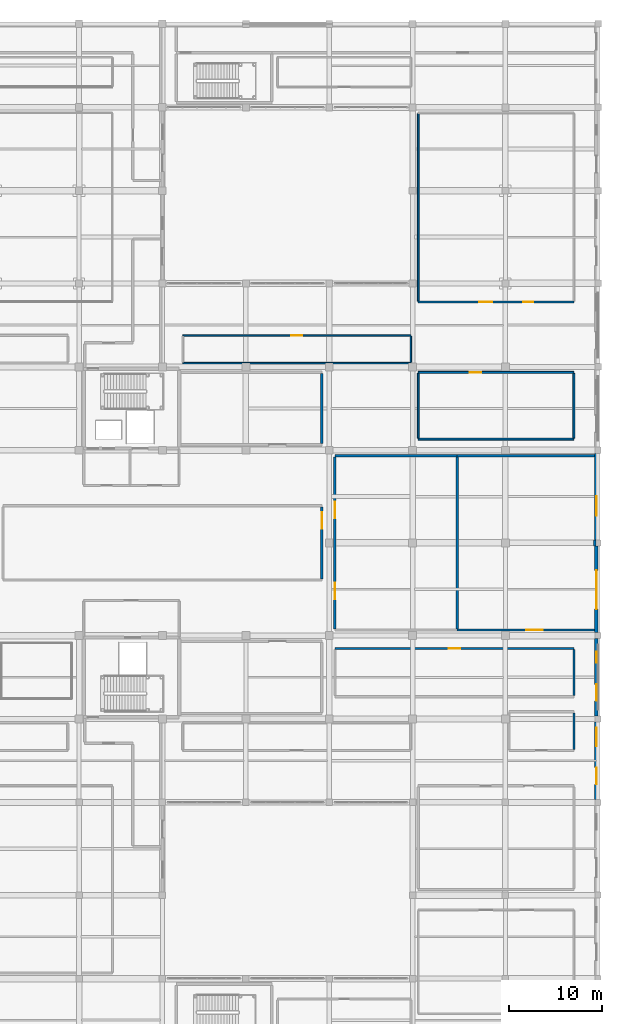
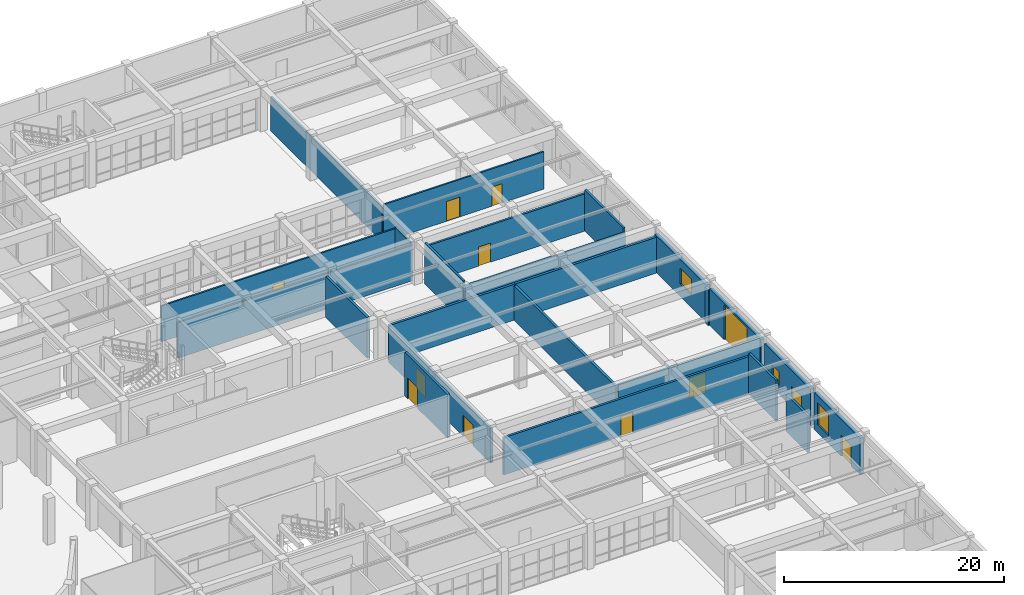
# One storey, part 112 of 128: 24 walls, 12 doors, 3 windows, 15 openings.
"""IFC4 building model written with IfcOpenShell, lengths in metres."""

from ifc_helpers import new_model, si_unit, direction, frame, frame_2d, origin, place, context, subcontext, project, spatial, rectangle, extrude, material, layer, layer_set, type_object, element, fill, save


model = new_model("IFC4")

# Units and contexts
model_context = context("Model", 3, precision=1e-05, world=origin(), true_north=direction((0.0, 1.0)))
body_context = subcontext(model_context, "Body", "Model", "MODEL_VIEW")
ifc_project = project(units=[si_unit("LENGTHUNIT", "METRE"), si_unit("AREAUNIT", "SQUARE_METRE"), si_unit("VOLUMEUNIT", "CUBIC_METRE"), si_unit("PLANEANGLEUNIT", "RADIAN"), si_unit("MASSUNIT", "GRAM", prefix="KILO")], contexts=[model_context])

# Site, building, storey
site_placement = place(None, origin())
site = spatial("IfcSite", under=ifc_project, at=site_placement, CompositionType="ELEMENT")
building_placement = place(site_placement, origin())
building = spatial("IfcBuilding", under=site, at=building_placement, Name="Miravela Opera House", CompositionType="ELEMENT")
storey_placement = place(building_placement, origin())
storey = spatial("IfcBuildingStorey", under=building, at=storey_placement, Name="L00", CompositionType="ELEMENT", Elevation=0.0)

# Wall, openings, door, window
ifc_material_1 = material(Name="Dark Guatemalan volcanic basalt stone ashlar", Category="masonry")
ifc_layer_1 = layer(ifc_material_1, 0.360107421875)
ifc_layer_set_1 = layer_set([ifc_layer_1])
wall_type_1 = type_object("IfcWallType", Name="ARC-EW-BASALT-360", PredefinedType="STANDARD", material=ifc_layer_set_1)
wall_1_placement = place(storey_placement, frame((163.820068359375, 28.324951171875, 0.0), z_axis=(0.0, 0.0, 1.0), x_axis=(0.0, 1.0, 0.0)))
wall_1 = element("IfcWall", 1, at=wall_1_placement, inside=storey, type_object=wall_type_1, Name="Fire Command Room Direct Grade Exit Wall", PredefinedType="STANDARD", context=body_context, shape_type="SweptSolid", body=[
    extrude(rectangle(XDim=8.35009765625, YDim=0.360107421875, at=frame_2d((4.175048828125, 0.0))), origin(), (0.0, 0.0, 1.0), 4.080078125),
])
opening_1_placement = place(wall_1_placement, frame((1.625, 0.0, 0.0)))
opening_1 = element("IfcOpeningElement", 2, at=opening_1_placement, cuts=wall_1, Name="Opening EX-02", PredefinedType="OPENING", context=body_context, shape_type="SweptSolid", body=[
    extrude(rectangle(XDim=1.800048828125, YDim=2.300048828125, at=frame_2d((0.89990234375, 1.14990234375))), frame((0.0, 0.18994140625, 0.0), z_axis=(0.0, -1.0, 0.0), x_axis=(1.0, 0.0, 0.0)), (0.0, 0.0, 1.0), 0.380126953125),
])
opening_2_placement = place(wall_1_placement, frame((5.75, 0.0, 0.89990234375)))
opening_2 = element("IfcOpeningElement", 3, at=opening_2_placement, cuts=wall_1, Name="Opening W-10", PredefinedType="OPENING", context=body_context, shape_type="SweptSolid", body=[
    extrude(rectangle(XDim=2.0, YDim=2.39990234375, at=frame_2d((1.0, 1.199951171875))), frame((0.0, 0.18994140625, 0.0), z_axis=(0.0, -1.0, 0.0), x_axis=(1.0, 0.0, 0.0)), (0.0, 0.0, 1.0), 0.380126953125),
])
ifc_material_2 = material(Name="Anodised architectural bronze aluminium 6063-T6", Category="aluminium")
door_type_1 = type_object("IfcDoorType", Name="ARC-EXD-1800X2300", OperationType="NOTDEFINED", PredefinedType="DOOR", material=ifc_material_2)
door_1_placement = place(opening_1_placement, frame((1.800048828125, 0.0, 0.0), z_axis=(0.0, 0.0, 1.0), x_axis=(-1.0, 0.0, 0.0)))
door_1 = element("IfcDoor", 4, at=door_1_placement, inside=storey, type_object=door_type_1, Name="Fire Command Room Direct Grade Exit EXD-L00-012", OperationType="DOUBLE_DOOR_SINGLE_SWING", OverallHeight=2.300048828125, OverallWidth=1.800048828125, PredefinedType="DOOR", context=body_context, shape_type="SweptSolid", body=[
    extrude(rectangle(XDim=1.800048828125, YDim=2.300048828125, at=frame_2d((0.89990234375, 1.14990234375))), frame((0.0, 0.02490234375, 0.0), z_axis=(0.0, -1.0, 0.0), x_axis=(1.0, 0.0, 0.0)), (0.0, 0.0, 1.0), 0.050048828125),
])
fill(opening_1, door_1)
ifc_material_3 = material(Name="Bronze-anodised aluminium and acoustic low-E glass", Category="aluminium")
window_type_1 = type_object("IfcWindowType", Name="ARC-WIN-10", PartitioningType="DOUBLE_PANEL_VERTICAL", PredefinedType="WINDOW", material=ifc_material_3)
window_1_placement = place(opening_2_placement, origin())
window_1 = element("IfcWindow", 5, at=window_1_placement, inside=storey, type_object=window_type_1, Name="Window W-10 #007", OverallHeight=2.39990234375, OverallWidth=2.0, PartitioningType="DOUBLE_PANEL_VERTICAL", PredefinedType="WINDOW", context=body_context, shape_type="SweptSolid", body=[
    extrude(rectangle(XDim=2.0, YDim=2.39990234375, at=frame_2d((1.0, 1.199951171875))), frame((0.0, 0.030029296875, 0.0), z_axis=(0.0, -1.0, 0.0), x_axis=(1.0, 0.0, 0.0)), (0.0, 0.0, 1.0), 0.06005859375),
])
fill(opening_2, window_1)

wall_2_placement = place(storey_placement, frame((163.820068359375, 37.324951171875, 0.0), z_axis=(0.0, 0.0, 1.0), x_axis=(0.0, 1.0, 0.0)))
wall_2 = element("IfcWall", 6, at=wall_2_placement, inside=storey, type_object=wall_type_1, Name="South Stage Street Exit Wall", PredefinedType="STANDARD", context=body_context, shape_type="SweptSolid", body=[
    extrude(rectangle(XDim=8.35009765625, YDim=0.360107421875, at=frame_2d((4.175048828125, 0.0))), origin(), (0.0, 0.0, 1.0), 4.080078125),
])
opening_3_placement = place(wall_2_placement, frame((1.625, 0.0, 0.0)))
opening_3 = element("IfcOpeningElement", 7, at=opening_3_placement, cuts=wall_2, Name="Opening EX-02", PredefinedType="OPENING", context=body_context, shape_type="SweptSolid", body=[
    extrude(rectangle(XDim=1.800048828125, YDim=2.300048828125, at=frame_2d((0.89990234375, 1.14990234375))), frame((0.0, 0.18994140625, 0.0), z_axis=(0.0, -1.0, 0.0), x_axis=(1.0, 0.0, 0.0)), (0.0, 0.0, 1.0), 0.380126953125),
])
opening_4_placement = place(wall_2_placement, frame((5.75, 0.0, 0.89990234375)))
opening_4 = element("IfcOpeningElement", 8, at=opening_4_placement, cuts=wall_2, Name="Opening W-11", PredefinedType="OPENING", context=body_context, shape_type="SweptSolid", body=[
    extrude(rectangle(XDim=1.199951171875, YDim=1.60009765625, at=frame_2d((0.60009765625, 0.800048828125))), frame((0.0, 0.18994140625, 0.0), z_axis=(0.0, -1.0, 0.0), x_axis=(1.0, 0.0, 0.0)), (0.0, 0.0, 1.0), 0.380126953125),
])
door_2_placement = place(opening_3_placement, frame((1.800048828125, 0.0, 0.0), z_axis=(0.0, 0.0, 1.0), x_axis=(-1.0, 0.0, 0.0)))
door_2 = element("IfcDoor", 9, at=door_2_placement, inside=storey, type_object=door_type_1, Name="South Stage Street Exit EXD-L00-013", OperationType="DOUBLE_DOOR_SINGLE_SWING", OverallHeight=2.300048828125, OverallWidth=1.800048828125, PredefinedType="DOOR", context=body_context, shape_type="SweptSolid", body=[
    extrude(rectangle(XDim=1.800048828125, YDim=2.300048828125, at=frame_2d((0.89990234375, 1.14990234375))), frame((0.0, 0.02490234375, 0.0), z_axis=(0.0, -1.0, 0.0), x_axis=(1.0, 0.0, 0.0)), (0.0, 0.0, 1.0), 0.050048828125),
])
fill(opening_3, door_2)
window_type_2 = type_object("IfcWindowType", Name="ARC-WIN-11", PartitioningType="SINGLE_PANEL", PredefinedType="WINDOW", material=ifc_material_3)
window_2_placement = place(opening_4_placement, origin())
window_2 = element("IfcWindow", 10, at=window_2_placement, inside=storey, type_object=window_type_2, Name="Window W-11 #008", OverallHeight=1.60009765625, OverallWidth=1.199951171875, PartitioningType="SINGLE_PANEL", PredefinedType="WINDOW", context=body_context, shape_type="SweptSolid", body=[
    extrude(rectangle(XDim=1.199951171875, YDim=1.60009765625, at=frame_2d((0.60009765625, 0.800048828125))), frame((0.0, 0.030029296875, 0.0), z_axis=(0.0, -1.0, 0.0), x_axis=(1.0, 0.0, 0.0)), (0.0, 0.0, 1.0), 0.06005859375),
])
fill(opening_4, window_2)

# Wall, opening, door
wall_3_placement = place(storey_placement, frame((163.820068359375, 46.324951171875, 0.0), z_axis=(0.0, 0.0, 1.0), x_axis=(0.0, 1.0, 0.0)))
wall_3 = element("IfcWall", 11, at=wall_3_placement, inside=storey, type_object=wall_type_1, Name="HGV Loading Dock Portal Wall South", PredefinedType="STANDARD", context=body_context, shape_type="SweptSolid", body=[
    extrude(rectangle(XDim=9.35009765625, YDim=0.360107421875, at=frame_2d((4.675048828125, 0.0))), origin(), (0.0, 0.0, 1.0), 4.080078125),
])
opening_5_placement = place(wall_3_placement, frame((2.52490234375, 0.0, 0.0)))
opening_5 = element("IfcOpeningElement", 12, at=opening_5_placement, cuts=wall_3, Name="Opening LDK-01", PredefinedType="OPENING", context=body_context, shape_type="SweptSolid", body=[
    extrude(rectangle(XDim=4.199951171875, YDim=3.89990234375, at=frame_2d((2.10009765625, 1.949951171875))), frame((0.0, 0.18994140625, 0.0), z_axis=(0.0, -1.0, 0.0), x_axis=(1.0, 0.0, 0.0)), (0.0, 0.0, 1.0), 0.380126953125),
])
ifc_material_4 = material(Name="Galvanised painted steel roller shutter", Category="steel")
door_type_2 = type_object("IfcDoorType", Name="ARC-SHUTTER-LDK", OperationType="ROLLINGUP", PredefinedType="DOOR", material=ifc_material_4)
door_3_placement = place(opening_5_placement, frame((4.199951171875, 0.0, 0.0), z_axis=(0.0, 0.0, 1.0), x_axis=(-1.0, 0.0, 0.0)))
door_3 = element("IfcDoor", 13, at=door_3_placement, inside=storey, type_object=door_type_2, Name="Stage Loading Dock Motorized Roller Shutter LDK-01 EXD-L00-029", OperationType="ROLLINGUP", OverallHeight=3.89990234375, OverallWidth=4.199951171875, PredefinedType="DOOR", context=body_context, shape_type="SweptSolid", body=[
    extrude(rectangle(XDim=4.199951171875, YDim=3.89990234375, at=frame_2d((2.10009765625, 1.949951171875))), frame((0.0, 0.02490234375, 0.0), z_axis=(0.0, -1.0, 0.0), x_axis=(1.0, 0.0, 0.0)), (0.0, 0.0, 1.0), 0.050048828125),
])
fill(opening_5, door_3)

# Wall, opening, window
wall_4_placement = place(storey_placement, frame((163.820068359375, 56.324951171875, 0.0), z_axis=(0.0, 0.0, 1.0), x_axis=(0.0, 1.0, 0.0)))
wall_4 = element("IfcWall", 14, at=wall_4_placement, inside=storey, type_object=wall_type_1, Name="HGV Loading Dock Portal Wall North", PredefinedType="STANDARD", context=body_context, shape_type="SweptSolid", body=[
    extrude(rectangle(XDim=9.35009765625, YDim=0.360107421875, at=frame_2d((4.675048828125, 0.0))), origin(), (0.0, 0.0, 1.0), 4.080078125),
])
opening_6_placement = place(wall_4_placement, frame((2.625, 0.0, 1.39990234375)))
opening_6 = element("IfcOpeningElement", 15, at=opening_6_placement, cuts=wall_4, Name="Opening W-33", PredefinedType="OPENING", context=body_context, shape_type="SweptSolid", body=[
    extrude(rectangle(XDim=2.06005859375, YDim=1.719970703125, at=frame_2d((1.030029296875, 0.85986328125))), frame((0.0, 0.18994140625, 0.0), z_axis=(0.0, -1.0, 0.0), x_axis=(1.0, 0.0, 0.0)), (0.0, 0.0, 1.0), 0.380126953125),
])
window_type_3 = type_object("IfcWindowType", Name="ARC-WIN-33", PartitioningType="DOUBLE_PANEL_VERTICAL", PredefinedType="WINDOW", material=ifc_material_3)
window_3_placement = place(opening_6_placement, origin())
window_3 = element("IfcWindow", 16, at=window_3_placement, inside=storey, type_object=window_type_3, Name="Window W-33 #024", OverallHeight=1.719970703125, OverallWidth=2.06005859375, PartitioningType="DOUBLE_PANEL_VERTICAL", PredefinedType="WINDOW", context=body_context, shape_type="SweptSolid", body=[
    extrude(rectangle(XDim=2.06005859375, YDim=1.719970703125, at=frame_2d((1.030029296875, 0.85986328125))), frame((0.0, 0.030029296875, 0.0), z_axis=(0.0, -1.0, 0.0), x_axis=(1.0, 0.0, 0.0)), (0.0, 0.0, 1.0), 0.06005859375),
])
fill(opening_6, window_3)

# Wall, openings, doors
ifc_material_5 = material(Name="Rehearsal isolated acoustic partition")
ifc_layer_2 = layer(ifc_material_5, 0.169921875)
ifc_layer_set_2 = layer_set([ifc_layer_2])
wall_type_2 = type_object("IfcWallType", Name="ARC-PT-170", PredefinedType="PARTITIONING", material=ifc_layer_set_2)
wall_5_placement = place(storey_placement, frame((144.60009765625, 82.0, 0.0), z_axis=(0.0, 0.0, 1.0), x_axis=(1.0, 0.0, 0.0)))
wall_5 = element("IfcWall", 17, at=wall_5_placement, inside=storey, type_object=wall_type_2, Name="Artist Lounge and Canteen Partition South", PredefinedType="PARTITIONING", context=body_context, shape_type="SweptSolid", body=[
    extrude(rectangle(XDim=16.7998046875, YDim=0.169921875, at=frame_2d((8.39990234375, 0.0))), origin(), (0.0, 0.0, 1.0), 4.14990234375),
])
opening_7_placement = place(wall_5_placement, frame((6.60791015625, 0.0, 0.0)))
opening_7 = element("IfcOpeningElement", 18, at=opening_7_placement, cuts=wall_5, Name="Opening ID-05", PredefinedType="OPENING", context=body_context, shape_type="SweptSolid", body=[
    extrude(rectangle(XDim=1.39990234375, YDim=2.199951171875, at=frame_2d((0.699951171875, 1.10009765625))), frame((0.0, 0.094970703125, 0.0), z_axis=(0.0, -1.0, 0.0), x_axis=(1.0, 0.0, 0.0)), (0.0, 0.0, 1.0), 0.18994140625),
])
opening_8_placement = place(wall_5_placement, frame((11.35205078125, 0.0, 0.0)))
opening_8 = element("IfcOpeningElement", 19, at=opening_8_placement, cuts=wall_5, Name="Opening ID-20", PredefinedType="OPENING", context=body_context, shape_type="SweptSolid", body=[
    extrude(rectangle(XDim=1.080078125, YDim=2.139892578125, at=frame_2d((0.5400390625, 1.06982421875))), frame((0.0, 0.094970703125, 0.0), z_axis=(0.0, -1.0, 0.0), x_axis=(1.0, 0.0, 0.0)), (0.0, 0.0, 1.0), 0.18994140625),
])
ifc_material_6 = material(Name="Double-leaf glazed mahogany salon door")
door_type_3 = type_object("IfcDoorType", Name="ARC-DR-1400X2200", OperationType="NOTDEFINED", PredefinedType="DOOR", material=ifc_material_6)
door_4_placement = place(opening_7_placement, frame((1.39990234375, 0.0, 0.0), z_axis=(0.0, 0.0, 1.0), x_axis=(-1.0, 0.0, 0.0)))
door_4 = element("IfcDoor", 20, at=door_4_placement, inside=storey, type_object=door_type_3, Name="Artist Lounge and Canteen Entry Door IDR-L00-0120", OperationType="DOUBLE_DOOR_SINGLE_SWING", OverallHeight=2.199951171875, OverallWidth=1.39990234375, PredefinedType="DOOR", context=body_context, shape_type="SweptSolid", body=[
    extrude(rectangle(XDim=1.39990234375, YDim=2.199951171875, at=frame_2d((0.699951171875, 1.10009765625))), frame((0.0, 0.02490234375, 0.0), z_axis=(0.0, -1.0, 0.0), x_axis=(1.0, 0.0, 0.0)), (0.0, 0.0, 1.0), 0.050048828125),
])
fill(opening_7, door_4)
ifc_material_7 = material(Name="Hardwood acoustic timber door leaf", Category="wood")
door_type_4 = type_object("IfcDoorType", Name="ARC-IDR-108X214", OperationType="NOTDEFINED", PredefinedType="DOOR", material=ifc_material_7)
door_5_placement = place(opening_8_placement, frame((1.080078125, 0.0, 0.0), z_axis=(0.0, 0.0, 1.0), x_axis=(-1.0, 0.0, 0.0)))
door_5 = element("IfcDoor", 21, at=door_5_placement, inside=storey, type_object=door_type_4, Name="Artist Lounge and Canteen Secondary Exit Door IDR-L00-0121", OperationType="SINGLE_SWING_LEFT", OverallHeight=2.139892578125, OverallWidth=1.080078125, PredefinedType="DOOR", context=body_context, shape_type="SweptSolid", body=[
    extrude(rectangle(XDim=1.080078125, YDim=2.139892578125, at=frame_2d((0.5400390625, 1.06982421875))), frame((0.0, 0.02490234375, 0.0), z_axis=(0.0, -1.0, 0.0), x_axis=(1.0, 0.0, 0.0)), (0.0, 0.0, 1.0), 0.050048828125),
])
fill(opening_8, door_5)

# Walls
wall_6_placement = place(storey_placement, frame((144.60009765625, 82.0849609375, 0.0), z_axis=(0.0, 0.0, 1.0), x_axis=(0.0, 1.0, 0.0)))
element("IfcWall", 22, at=wall_6_placement, inside=storey, type_object=wall_type_2, Name="Artist Lounge and Canteen Partition West", PredefinedType="PARTITIONING", context=body_context, shape_type="SweptSolid", body=[
    extrude(rectangle(XDim=20.22998046875, YDim=0.169921875, at=frame_2d((10.114990234375, 0.0))), origin(), (0.0, 0.0, 1.0), 3.830078125),
])
wall_7_placement = place(storey_placement, frame((119.199951171875, 75.39990234375, 0.0), z_axis=(0.0, 0.0, 1.0), x_axis=(1.0, 0.0, 0.0)))
element("IfcWall", 23, at=wall_7_placement, inside=storey, type_object=wall_type_2, Name="Stage Electronics and Lighting Workshop Partition South", PredefinedType="PARTITIONING", context=body_context, shape_type="SweptSolid", body=[
    extrude(rectangle(XDim=24.60009765625, YDim=0.169921875, at=frame_2d((12.300048828125, 0.0))), origin(), (0.0, 0.0, 1.0), 3.929931640625),
])

# Wall, opening, door
wall_8_placement = place(storey_placement, frame((119.199951171875, 78.39990234375, 0.0), z_axis=(0.0, 0.0, 1.0), x_axis=(1.0, 0.0, 0.0)))
wall_8 = element("IfcWall", 24, at=wall_8_placement, inside=storey, type_object=wall_type_2, Name="Stage Electronics and Lighting Workshop Partition North", PredefinedType="PARTITIONING", context=body_context, shape_type="SweptSolid", body=[
    extrude(rectangle(XDim=24.60009765625, YDim=0.169921875, at=frame_2d((12.300048828125, 0.0))), origin(), (0.0, 0.0, 1.0), 3.97998046875),
])
opening_9_placement = place(wall_8_placement, frame((11.7099609375, 0.0, 0.0)))
opening_9 = element("IfcOpeningElement", 25, at=opening_9_placement, cuts=wall_8, Name="Opening ID-27", PredefinedType="OPENING", context=body_context, shape_type="SweptSolid", body=[
    extrude(rectangle(XDim=1.179931640625, YDim=2.219970703125, at=frame_2d((0.58984375, 1.10986328125))), frame((0.0, 0.094970703125, 0.0), z_axis=(0.0, -1.0, 0.0), x_axis=(1.0, 0.0, 0.0)), (0.0, 0.0, 1.0), 0.18994140625),
])
door_type_5 = type_object("IfcDoorType", Name="ARC-IDR-118X222", OperationType="NOTDEFINED", PredefinedType="DOOR", material=ifc_material_7)
door_6_placement = place(opening_9_placement, origin())
door_6 = element("IfcDoor", 26, at=door_6_placement, inside=storey, type_object=door_type_5, Name="Stage Electronics and Lighting Workshop Entry Door IDR-L00-0130", OperationType="SINGLE_SWING_LEFT", OverallHeight=2.219970703125, OverallWidth=1.179931640625, PredefinedType="DOOR", context=body_context, shape_type="SweptSolid", body=[
    extrude(rectangle(XDim=1.179931640625, YDim=2.219970703125, at=frame_2d((0.58984375, 1.10986328125))), frame((0.0, 0.02490234375, 0.0), z_axis=(0.0, -1.0, 0.0), x_axis=(1.0, 0.0, 0.0)), (0.0, 0.0, 1.0), 0.050048828125),
])
fill(opening_9, door_6)

# Wall
wall_9_placement = place(storey_placement, frame((143.800048828125, 75.485107421875, 0.0), z_axis=(0.0, 0.0, 1.0), x_axis=(0.0, 1.0, 0.0)))
element("IfcWall", 27, at=wall_9_placement, inside=storey, type_object=wall_type_2, Name="Stage Electronics and Lighting Workshop Partition East", PredefinedType="PARTITIONING", context=body_context, shape_type="SweptSolid", body=[
    extrude(rectangle(XDim=2.829833984375, YDim=0.169921875, at=frame_2d((1.4150390625, 0.0))), origin(), (0.0, 0.0, 1.0), 4.14990234375),
])

# Wall, opening, door
ifc_material_8 = material(Name="High-STC auditorium lobby partition")
ifc_layer_3 = layer(ifc_material_8, 0.22998046875)
ifc_layer_set_3 = layer_set([ifc_layer_3])
wall_type_3 = type_object("IfcWallType", Name="ARC-PT-205", PredefinedType="PARTITIONING", material=ifc_layer_set_3)
wall_10_placement = place(storey_placement, frame((135.60009765625, 44.60009765625, 0.0), z_axis=(0.0, 0.0, 1.0), x_axis=(1.0, 0.0, 0.0)))
wall_10 = element("IfcWall", 28, at=wall_10_placement, inside=storey, type_object=wall_type_3, Name="Stage Prop Fabrication Workshop Partition North", PredefinedType="PARTITIONING", context=body_context, shape_type="SweptSolid", body=[
    extrude(rectangle(XDim=25.7998046875, YDim=0.22998046875, at=frame_2d((12.89990234375, 0.0))), origin(), (0.0, 0.0, 1.0), 4.14990234375),
])
opening_10_placement = place(wall_10_placement, frame((12.27001953125, 0.0, 0.0)))
opening_10 = element("IfcOpeningElement", 29, at=opening_10_placement, cuts=wall_10, Name="Opening ID-30", PredefinedType="OPENING", context=body_context, shape_type="SweptSolid", body=[
    extrude(rectangle(XDim=1.260009765625, YDim=2.219970703125, at=frame_2d((0.6298828125, 1.10986328125))), frame((0.0, 0.125, 0.0), z_axis=(0.0, -1.0, 0.0), x_axis=(1.0, 0.0, 0.0)), (0.0, 0.0, 1.0), 0.25),
])
door_type_6 = type_object("IfcDoorType", Name="ARC-IDR-126X222", OperationType="NOTDEFINED", PredefinedType="DOOR", material=ifc_material_7)
door_7_placement = place(opening_10_placement, frame((1.260009765625, 0.0, 0.0), z_axis=(0.0, 0.0, 1.0), x_axis=(-1.0, 0.0, 0.0)))
door_7 = element("IfcDoor", 30, at=door_7_placement, inside=storey, type_object=door_type_6, Name="Stage Prop Fabrication Workshop Entry Door IDR-L00-0133", OperationType="SINGLE_SWING_RIGHT", OverallHeight=2.219970703125, OverallWidth=1.260009765625, PredefinedType="DOOR", context=body_context, shape_type="SweptSolid", body=[
    extrude(rectangle(XDim=1.260009765625, YDim=2.219970703125, at=frame_2d((0.6298828125, 1.10986328125))), frame((0.0, 0.02490234375, 0.0), z_axis=(0.0, -1.0, 0.0), x_axis=(1.0, 0.0, 0.0)), (0.0, 0.0, 1.0), 0.050048828125),
])
fill(opening_10, door_7)

# Walls
wall_11_placement = place(storey_placement, frame((161.39990234375, 39.514892578125, 0.0), z_axis=(0.0, 0.0, 1.0), x_axis=(0.0, 1.0, 0.0)))
element("IfcWall", 31, at=wall_11_placement, inside=storey, type_object=wall_type_3, Name="Stage Prop Fabrication Workshop Partition East", PredefinedType="PARTITIONING", context=body_context, shape_type="SweptSolid", body=[
    extrude(rectangle(XDim=4.97021484375, YDim=0.22998046875, at=frame_2d((2.485107421875, 0.0))), origin(), (0.0, 0.0, 1.0), 4.52197265625),
])
ifc_material_9 = material(Name="Workshop fire-resisting block partition")
ifc_layer_4 = layer(ifc_material_9, 0.2099609375)
ifc_layer_set_4 = layer_set([ifc_layer_4])
wall_type_4 = type_object("IfcWallType", Name="ARC-PT-210", PredefinedType="PARTITIONING", material=ifc_layer_set_4)
wall_12_placement = place(storey_placement, frame((144.60009765625, 67.199951171875, 0.0), z_axis=(0.0, 0.0, 1.0), x_axis=(1.0, 0.0, 0.0)))
element("IfcWall", 32, at=wall_12_placement, inside=storey, type_object=wall_type_4, Name="Historic Costume Exhibition Gallery Partition South", PredefinedType="PARTITIONING", context=body_context, shape_type="SweptSolid", body=[
    extrude(rectangle(XDim=16.7998046875, YDim=0.2099609375, at=frame_2d((8.39990234375, 0.0))), origin(), (0.0, 0.0, 1.0), 4.1298828125),
])

# Wall, opening, door
wall_13_placement = place(storey_placement, frame((144.60009765625, 74.39990234375, 0.0), z_axis=(0.0, 0.0, 1.0), x_axis=(1.0, 0.0, 0.0)))
wall_13 = element("IfcWall", 33, at=wall_13_placement, inside=storey, type_object=wall_type_4, Name="Historic Costume Exhibition Gallery Partition North", PredefinedType="PARTITIONING", context=body_context, shape_type="SweptSolid", body=[
    extrude(rectangle(XDim=16.7998046875, YDim=0.2099609375, at=frame_2d((8.39990234375, 0.0))), origin(), (0.0, 0.0, 1.0), 4.1298828125),
])
opening_11_placement = place(wall_13_placement, frame((5.56494140625, 0.0, 0.0)))
opening_11 = element("IfcOpeningElement", 34, at=opening_11_placement, cuts=wall_13, Name="Opening ID-29", PredefinedType="OPENING", context=body_context, shape_type="SweptSolid", body=[
    extrude(rectangle(XDim=1.260009765625, YDim=2.139892578125, at=frame_2d((0.6298828125, 1.06982421875))), frame((0.0, 0.114990234375, 0.0), z_axis=(0.0, -1.0, 0.0), x_axis=(1.0, 0.0, 0.0)), (0.0, 0.0, 1.0), 0.22998046875),
])
door_type_7 = type_object("IfcDoorType", Name="ARC-IDR-126X214", OperationType="NOTDEFINED", PredefinedType="DOOR", material=ifc_material_7)
door_8_placement = place(opening_11_placement, frame((1.260009765625, 0.0, 0.0), z_axis=(0.0, 0.0, 1.0), x_axis=(-1.0, 0.0, 0.0)))
door_8 = element("IfcDoor", 35, at=door_8_placement, inside=storey, type_object=door_type_7, Name="Historic Costume Exhibition Gallery Entry Door IDR-L00-0132", OperationType="SINGLE_SWING_LEFT", OverallHeight=2.139892578125, OverallWidth=1.260009765625, PredefinedType="DOOR", context=body_context, shape_type="SweptSolid", body=[
    extrude(rectangle(XDim=1.260009765625, YDim=2.139892578125, at=frame_2d((0.6298828125, 1.06982421875))), frame((0.0, 0.02490234375, 0.0), z_axis=(0.0, -1.0, 0.0), x_axis=(1.0, 0.0, 0.0)), (0.0, 0.0, 1.0), 0.050048828125),
])
fill(opening_11, door_8)

# Walls
wall_14_placement = place(storey_placement, frame((144.60009765625, 67.304931640625, 0.0), z_axis=(0.0, 0.0, 1.0), x_axis=(0.0, 1.0, 0.0)))
element("IfcWall", 36, at=wall_14_placement, inside=storey, type_object=wall_type_4, Name="Historic Costume Exhibition Gallery Partition West", PredefinedType="PARTITIONING", context=body_context, shape_type="SweptSolid", body=[
    extrude(rectangle(XDim=6.989990234375, YDim=0.2099609375, at=frame_2d((3.4951171875, 0.0))), origin(), (0.0, 0.0, 1.0), 4.5830078125),
])
wall_15_placement = place(storey_placement, frame((161.39990234375, 67.304931640625, 0.0), z_axis=(0.0, 0.0, 1.0), x_axis=(0.0, 1.0, 0.0)))
element("IfcWall", 37, at=wall_15_placement, inside=storey, type_object=wall_type_4, Name="Historic Costume Exhibition Gallery Partition East", PredefinedType="PARTITIONING", context=body_context, shape_type="SweptSolid", body=[
    extrude(rectangle(XDim=6.989990234375, YDim=0.2099609375, at=frame_2d((3.4951171875, 0.0))), origin(), (0.0, 0.0, 1.0), 4.576904296875),
])

# Wall, opening, door
ifc_material_10 = material(Name="Firefighting lobby compartment wall")
ifc_layer_5 = layer(ifc_material_10, 0.25)
ifc_layer_set_5 = layer_set([ifc_layer_5])
wall_type_5 = type_object("IfcWallType", Name="ARC-PT-220", PredefinedType="PARTITIONING", material=ifc_layer_set_5)
wall_16_placement = place(storey_placement, frame((134.199951171875, 52.125, 0.0), z_axis=(0.0, 0.0, 1.0), x_axis=(0.0, 1.0, 0.0)))
wall_16 = element("IfcWall", 38, at=wall_16_placement, inside=storey, type_object=wall_type_5, Name="Main Opera Stage Partition East", PredefinedType="PARTITIONING", context=body_context, shape_type="SweptSolid", body=[
    extrude(rectangle(XDim=7.75, YDim=0.25, at=frame_2d((3.875, 0.0))), origin(), (0.0, 0.0, 1.0), 4.85009765625),
])
opening_12_placement = place(wall_16_placement, frame((5.40234375, 0.0, 0.0)))
opening_12 = element("IfcOpeningElement", 39, at=opening_12_placement, cuts=wall_16, Name="Opening FD-05", PredefinedType="OPENING", context=body_context, shape_type="SweptSolid", body=[
    extrude(rectangle(XDim=1.800048828125, YDim=2.300048828125, at=frame_2d((0.89990234375, 1.14990234375))), frame((0.0, 0.135009765625, 0.0), z_axis=(0.0, -1.0, 0.0), x_axis=(1.0, 0.0, 0.0)), (0.0, 0.0, 1.0), 0.27001953125),
])
ifc_material_11 = material(Name="Heavy acoustic EI 120 stage/auditorium pair")
door_type_8 = type_object("IfcDoorType", Name="ARC-FD-1800X2300", OperationType="NOTDEFINED", PredefinedType="DOOR", material=ifc_material_11)
door_9_placement = place(opening_12_placement, origin())
door_9 = element("IfcDoor", 40, at=door_9_placement, inside=storey, type_object=door_type_8, Name="Main Opera Stage Entry Door IDR-L00-0101", OperationType="DOUBLE_DOOR_SINGLE_SWING", OverallHeight=2.300048828125, OverallWidth=1.800048828125, PredefinedType="DOOR", context=body_context, shape_type="SweptSolid", body=[
    extrude(rectangle(XDim=1.800048828125, YDim=2.300048828125, at=frame_2d((0.89990234375, 1.14990234375))), frame((0.0, 0.02490234375, 0.0), z_axis=(0.0, -1.0, 0.0), x_axis=(1.0, 0.0, 0.0)), (0.0, 0.0, 1.0), 0.050048828125),
])
fill(opening_12, door_9)

# Walls
wall_17_placement = place(storey_placement, frame((134.199951171875, 66.72509765625, 0.0), z_axis=(0.0, 0.0, 1.0), x_axis=(0.0, 1.0, 0.0)))
element("IfcWall", 41, at=wall_17_placement, inside=storey, type_object=wall_type_5, Name="North Side Stage Partition East", PredefinedType="PARTITIONING", context=body_context, shape_type="SweptSolid", body=[
    extrude(rectangle(XDim=7.5498046875, YDim=0.25, at=frame_2d((3.77490234375, 0.0))), origin(), (0.0, 0.0, 1.0), 4.52197265625),
])
wall_18_placement = place(storey_placement, frame((135.60009765625, 65.39990234375, 0.0), z_axis=(0.0, 0.0, 1.0), x_axis=(1.0, 0.0, 0.0)))
element("IfcWall", 42, at=wall_18_placement, inside=storey, type_object=wall_type_5, Name="Rear Opera Stage Partition North", PredefinedType="PARTITIONING", context=body_context, shape_type="SweptSolid", body=[
    extrude(rectangle(XDim=13.199951171875, YDim=0.25, at=frame_2d((6.60009765625, 0.0))), origin(), (0.0, 0.0, 1.0), 3.97998046875),
])

# Wall, openings, doors
wall_19_placement = place(storey_placement, frame((135.60009765625, 46.72509765625, 0.0), z_axis=(0.0, 0.0, 1.0), x_axis=(0.0, 1.0, 0.0)))
wall_19 = element("IfcWall", 43, at=wall_19_placement, inside=storey, type_object=wall_type_5, Name="Rear Opera Stage Partition West", PredefinedType="PARTITIONING", context=body_context, shape_type="SweptSolid", body=[
    extrude(rectangle(XDim=18.5498046875, YDim=0.25, at=frame_2d((9.27490234375, 0.0))), origin(), (0.0, 0.0, 1.0), 3.830078125),
])
opening_13_placement = place(wall_19_placement, frame((3.204345703125, 0.0, 0.0)))
opening_13 = element("IfcOpeningElement", 44, at=opening_13_placement, cuts=wall_19, Name="Opening FD-05", PredefinedType="OPENING", context=body_context, shape_type="SweptSolid", body=[
    extrude(rectangle(XDim=1.800048828125, YDim=2.300048828125, at=frame_2d((0.89990234375, 1.14990234375))), frame((0.0, 0.135009765625, 0.0), z_axis=(0.0, -1.0, 0.0), x_axis=(1.0, 0.0, 0.0)), (0.0, 0.0, 1.0), 0.27001953125),
])
opening_14_placement = place(wall_19_placement, frame((11.927001953125, 0.0, 0.0)))
opening_14 = element("IfcOpeningElement", 45, at=opening_14_placement, cuts=wall_19, Name="Opening FD-05", PredefinedType="OPENING", context=body_context, shape_type="SweptSolid", body=[
    extrude(rectangle(XDim=1.800048828125, YDim=2.300048828125, at=frame_2d((0.89990234375, 1.14990234375))), frame((0.0, 0.135009765625, 0.0), z_axis=(0.0, -1.0, 0.0), x_axis=(1.0, 0.0, 0.0)), (0.0, 0.0, 1.0), 0.27001953125),
])
door_10_placement = place(opening_13_placement, frame((1.800048828125, 0.0, 0.0), z_axis=(0.0, 0.0, 1.0), x_axis=(-1.0, 0.0, 0.0)))
door_10 = element("IfcDoor", 46, at=door_10_placement, inside=storey, type_object=door_type_8, Name="Rear Opera Stage Entry Door IDR-L00-0104", OperationType="DOUBLE_DOOR_SINGLE_SWING", OverallHeight=2.300048828125, OverallWidth=1.800048828125, PredefinedType="DOOR", context=body_context, shape_type="SweptSolid", body=[
    extrude(rectangle(XDim=1.800048828125, YDim=2.300048828125, at=frame_2d((0.89990234375, 1.14990234375))), frame((0.0, 0.02490234375, 0.0), z_axis=(0.0, -1.0, 0.0), x_axis=(1.0, 0.0, 0.0)), (0.0, 0.0, 1.0), 0.050048828125),
])
fill(opening_13, door_10)
door_11_placement = place(opening_14_placement, frame((1.800048828125, 0.0, 0.0), z_axis=(0.0, 0.0, 1.0), x_axis=(-1.0, 0.0, 0.0)))
door_11 = element("IfcDoor", 47, at=door_11_placement, inside=storey, type_object=door_type_8, Name="Rear Opera Stage Secondary Exit Door IDR-L00-0105", OperationType="DOUBLE_DOOR_SINGLE_SWING", OverallHeight=2.300048828125, OverallWidth=1.800048828125, PredefinedType="DOOR", context=body_context, shape_type="SweptSolid", body=[
    extrude(rectangle(XDim=1.800048828125, YDim=2.300048828125, at=frame_2d((0.89990234375, 1.14990234375))), frame((0.0, 0.02490234375, 0.0), z_axis=(0.0, -1.0, 0.0), x_axis=(1.0, 0.0, 0.0)), (0.0, 0.0, 1.0), 0.050048828125),
])
fill(opening_14, door_11)

# Wall
wall_20_placement = place(storey_placement, frame((148.800048828125, 46.72509765625, 0.0), z_axis=(0.0, 0.0, 1.0), x_axis=(0.0, 1.0, 0.0)))
element("IfcWall", 48, at=wall_20_placement, inside=storey, type_object=wall_type_5, Name="Rear Opera Stage Partition East", PredefinedType="PARTITIONING", context=body_context, shape_type="SweptSolid", body=[
    extrude(rectangle(XDim=18.5498046875, YDim=0.25, at=frame_2d((9.27490234375, 0.0))), origin(), (0.0, 0.0, 1.0), 3.830078125),
])

# Wall, opening, door
wall_21_placement = place(storey_placement, frame((148.800048828125, 46.60009765625, 0.0), z_axis=(0.0, 0.0, 1.0), x_axis=(1.0, 0.0, 0.0)))
wall_21 = element("IfcWall", 49, at=wall_21_placement, inside=storey, type_object=wall_type_5, Name="Stage Heavy-Goods Loading Dock Partition South", PredefinedType="PARTITIONING", context=body_context, shape_type="SweptSolid", body=[
    extrude(rectangle(XDim=14.83984375, YDim=0.25, at=frame_2d((7.419921875, 0.0))), origin(), (0.0, 0.0, 1.0), 4.179931640625),
])
opening_15_placement = place(wall_21_placement, frame((7.43505859375, 0.0, 0.0)))
opening_15 = element("IfcOpeningElement", 50, at=opening_15_placement, cuts=wall_21, Name="Opening FD-05", PredefinedType="OPENING", context=body_context, shape_type="SweptSolid", body=[
    extrude(rectangle(XDim=1.800048828125, YDim=2.300048828125, at=frame_2d((0.89990234375, 1.14990234375))), frame((0.0, 0.135009765625, 0.0), z_axis=(0.0, -1.0, 0.0), x_axis=(1.0, 0.0, 0.0)), (0.0, 0.0, 1.0), 0.27001953125),
])
door_12_placement = place(opening_15_placement, origin())
door_12 = element("IfcDoor", 51, at=door_12_placement, inside=storey, type_object=door_type_8, Name="Stage Heavy-Goods Loading Dock Entry Door IDR-L00-0106", OperationType="DOUBLE_DOOR_SINGLE_SWING", OverallHeight=2.300048828125, OverallWidth=1.800048828125, PredefinedType="DOOR", context=body_context, shape_type="SweptSolid", body=[
    extrude(rectangle(XDim=1.800048828125, YDim=2.300048828125, at=frame_2d((0.89990234375, 1.14990234375))), frame((0.0, 0.02490234375, 0.0), z_axis=(0.0, -1.0, 0.0), x_axis=(1.0, 0.0, 0.0)), (0.0, 0.0, 1.0), 0.050048828125),
])
fill(opening_15, door_12)

# Walls
wall_22_placement = place(storey_placement, frame((148.800048828125, 65.39990234375, 0.0), z_axis=(0.0, 0.0, 1.0), x_axis=(1.0, 0.0, 0.0)))
element("IfcWall", 52, at=wall_22_placement, inside=storey, type_object=wall_type_5, Name="Stage Heavy-Goods Loading Dock Partition North", PredefinedType="PARTITIONING", context=body_context, shape_type="SweptSolid", body=[
    extrude(rectangle(XDim=14.83984375, YDim=0.25, at=frame_2d((7.419921875, 0.0))), origin(), (0.0, 0.0, 1.0), 3.97998046875),
])
wall_23_placement = place(storey_placement, frame((163.639892578125, 55.675048828125, 0.0), z_axis=(0.0, 0.0, 1.0), x_axis=(0.0, 1.0, 0.0)))
element("IfcWall", 53, at=wall_23_placement, inside=storey, type_object=wall_type_5, Name="Stage Heavy-Goods Loading Dock Partition East", PredefinedType="PARTITIONING", context=body_context, shape_type="SweptSolid", body=[
    extrude(rectangle(XDim=0.64990234375, YDim=0.25, at=frame_2d((0.324951171875, 0.0))), origin(), (0.0, 0.0, 1.0), 3.97998046875),
])
wall_24_placement = place(storey_placement, frame((161.39990234375, 33.72509765625, 0.0), z_axis=(0.0, 0.0, 1.0), x_axis=(0.0, 1.0, 0.0)))
element("IfcWall", 54, at=wall_24_placement, inside=storey, type_object=wall_type_5, Name="Fire Command Room Partition East", PredefinedType="PARTITIONING", context=body_context, shape_type="SweptSolid", body=[
    extrude(rectangle(XDim=3.949951171875, YDim=0.25, at=frame_2d((1.97509765625, 0.0))), origin(), (0.0, 0.0, 1.0), 4.080078125),
])

save(model, "model.ifc")
